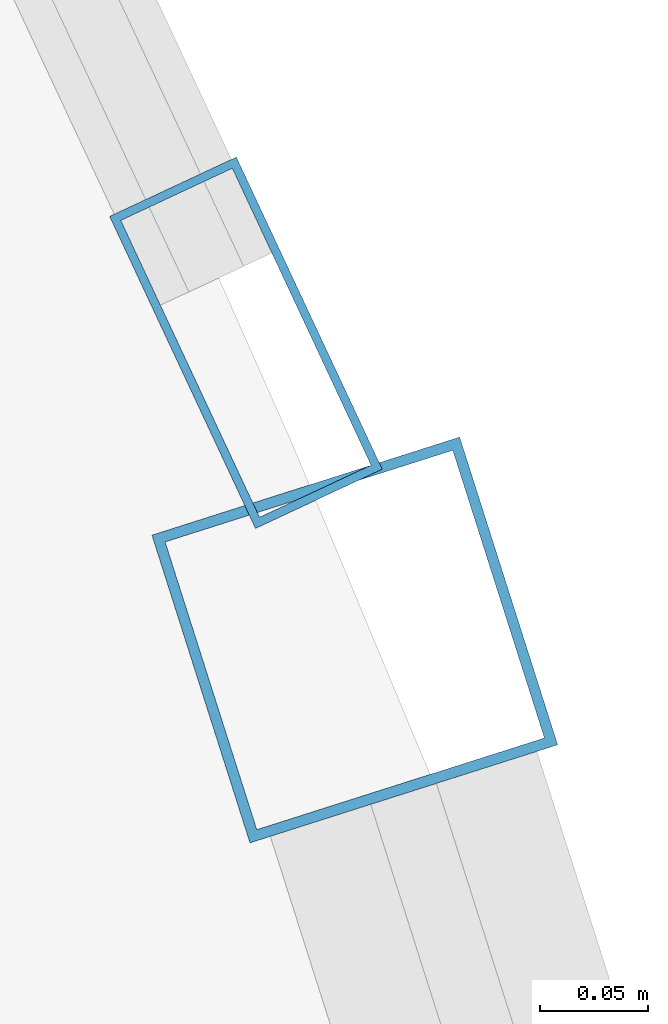
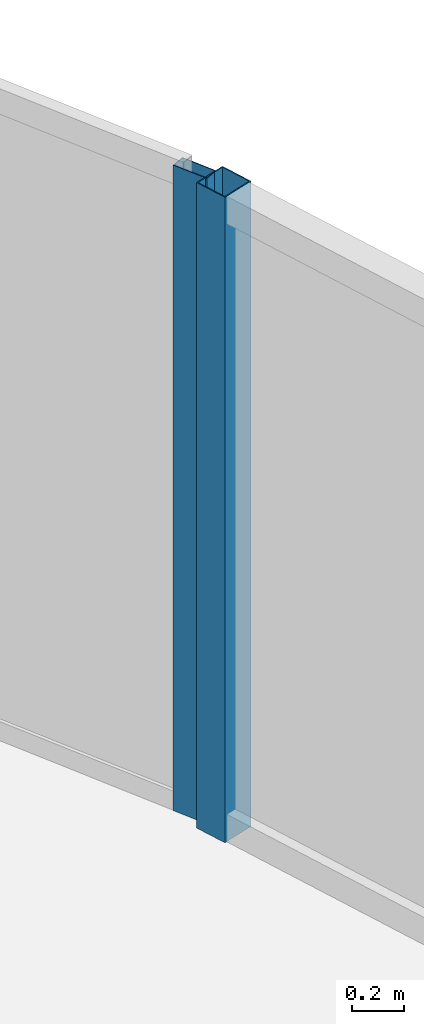
# One storey, part 16 of 29: 2 members, 2 elements without a shape of their own.
"""IFC4 building model written with IfcOpenShell, lengths in metres."""

from ifc_helpers import new_model, si_unit, direction, frame, origin, origin_2d, place, context, subcontext, project, spatial, hollow_rectangle, extrude, material, layer, layer_set, material_profile, profile_set, type_object, element, aggregate, save


model = new_model("IFC4")

# Units and contexts
model_context = context("Model", 3, precision=1e-05, world=origin(), true_north=direction((0.0, 1.0)))
body_context = subcontext(model_context, "Body", "Model", "MODEL_VIEW")
ifc_project = project(units=[si_unit("LENGTHUNIT", "METRE"), si_unit("AREAUNIT", "SQUARE_METRE"), si_unit("VOLUMEUNIT", "CUBIC_METRE"), si_unit("PLANEANGLEUNIT", "RADIAN"), si_unit("MASSUNIT", "GRAM", prefix="KILO")], contexts=[model_context])

# Site, building, storey
site_placement = place(None, origin())
site = spatial("IfcSite", under=ifc_project, at=site_placement, CompositionType="ELEMENT")
building_placement = place(site_placement, origin())
building = spatial("IfcBuilding", under=site, at=building_placement, Name="Orvanel Arch Residences", CompositionType="ELEMENT")
storey_placement = place(building_placement, frame((0.0, 0.0, 246.949951171875)))
storey = spatial("IfcBuildingStorey", under=building, at=storey_placement, Name="L70", CompositionType="ELEMENT", Elevation=246.949951171875)

# Curtain wall, member
ifc_material = material(Name="Bronze-anodised aluminium AA6063-T6", Category="aluminium")
ifc_layer_1 = layer(ifc_material, 0.18994140625)
ifc_layer_set_1 = layer_set([ifc_layer_1], Name="Bronze-anodised aluminium AA6063-T6")
curtain_wall_type_1 = type_object("IfcCurtainWallType", Name="CW5-CRN-SYS", PredefinedType="NOTDEFINED", material=ifc_layer_set_1)
curtain_wall_1_placement = place(storey_placement, origin())
curtain_wall_1 = element("IfcCurtainWall", 1, at=curtain_wall_1_placement, inside=storey, type_object=curtain_wall_type_1, Name="L70 CW5-CRN-SYS Unitised Curtain Wall", PredefinedType="NOTDEFINED")
ifc_material_profile_1 = material_profile(ifc_material, hollow_rectangle(XDim=0.14990234375, YDim=0.14990234375, WallThickness=0.0048828125, at=origin_2d()), Name="ALU150x150x5")
ifc_profile_set_1 = profile_set([ifc_material_profile_1], Name="Bronze-anodised aluminium AA6063-T6")
member_type_1 = type_object("IfcMemberType", Name="MUL-150x150", PredefinedType="MULLION", material=ifc_profile_set_1)
member_1_placement = place(storey_placement, frame((53.4228515625, 15.33251953125, 0.0), z_axis=(0.0, 0.0, 1.0), x_axis=(-0.952801726678, -0.303593263494, 0.0)))
member_1 = element("IfcMember", 2, at=member_1_placement, type_object=member_type_1, Name="CW-S5 mullion 2", PredefinedType="MULLION", context=body_context, shape_type="SweptSolid", body=[
    extrude(hollow_rectangle(XDim=0.14990234375, YDim=0.14990234375, WallThickness=0.0048828125, at=origin_2d()), origin(), (0.0, 0.0, 1.0), 3.06005859375),
])
aggregate(curtain_wall_1, [member_1])

ifc_layer_2 = layer(ifc_material, 0.175048828125)
ifc_layer_set_2 = layer_set([ifc_layer_2], Name="Bronze-anodised aluminium AA6063-T6")
curtain_wall_type_2 = type_object("IfcCurtainWallType", Name="CW4-HI-SYS", PredefinedType="NOTDEFINED", material=ifc_layer_set_2)
curtain_wall_2_placement = place(storey_placement, origin())
curtain_wall_2 = element("IfcCurtainWall", 3, at=curtain_wall_2_placement, inside=storey, type_object=curtain_wall_type_2, Name="L70 CW4-HI-SYS Unitised Curtain Wall", PredefinedType="NOTDEFINED")
ifc_material_profile_2 = material_profile(ifc_material, hollow_rectangle(XDim=0.06494140625, YDim=0.159912109375, WallThickness=0.00390625, at=origin_2d()), Name="ALU160x65x4")
ifc_profile_set_2 = profile_set([ifc_material_profile_2], Name="Bronze-anodised aluminium AA6063-T6")
member_type_2 = type_object("IfcMemberType", Name="MUL-160x65", PredefinedType="MULLION", material=ifc_profile_set_2)
member_2_placement = place(storey_placement, frame((53.372314453125, 15.470458984375, 0.0), z_axis=(0.0, 0.0, 1.0), x_axis=(-0.9059146694, -0.423460283576, 0.0)))
member_2 = element("IfcMember", 4, at=member_2_placement, type_object=member_type_2, Name="CW-S4 mullion 1", PredefinedType="MULLION", context=body_context, shape_type="SweptSolid", body=[
    extrude(hollow_rectangle(XDim=0.06494140625, YDim=0.159912109375, WallThickness=0.00390625, at=origin_2d()), origin(), (0.0, 0.0, 1.0), 3.06005859375),
])
aggregate(curtain_wall_2, [member_2])

save(model, "model.ifc")
